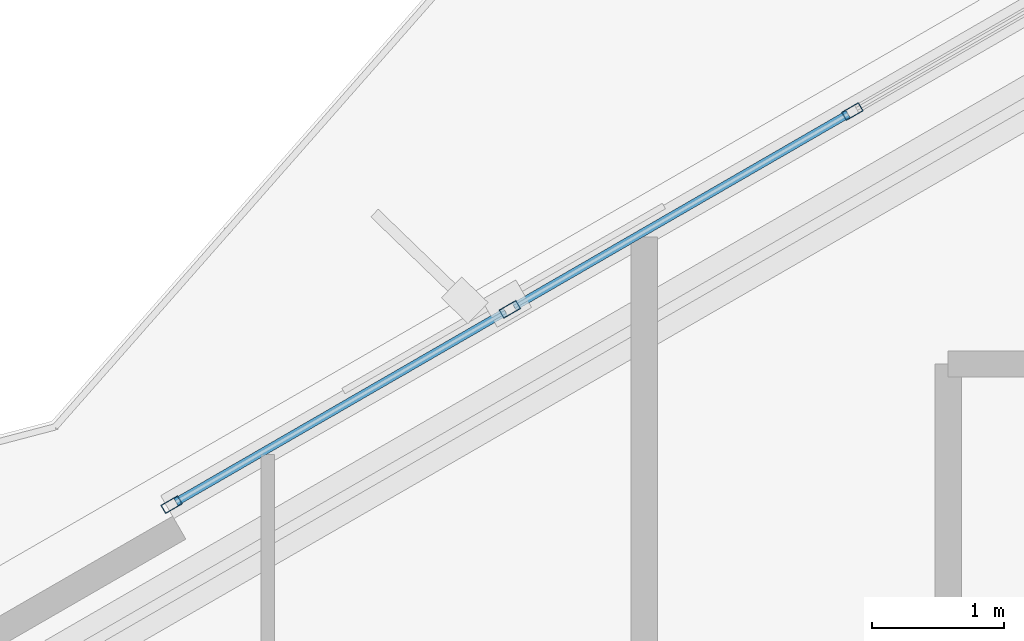
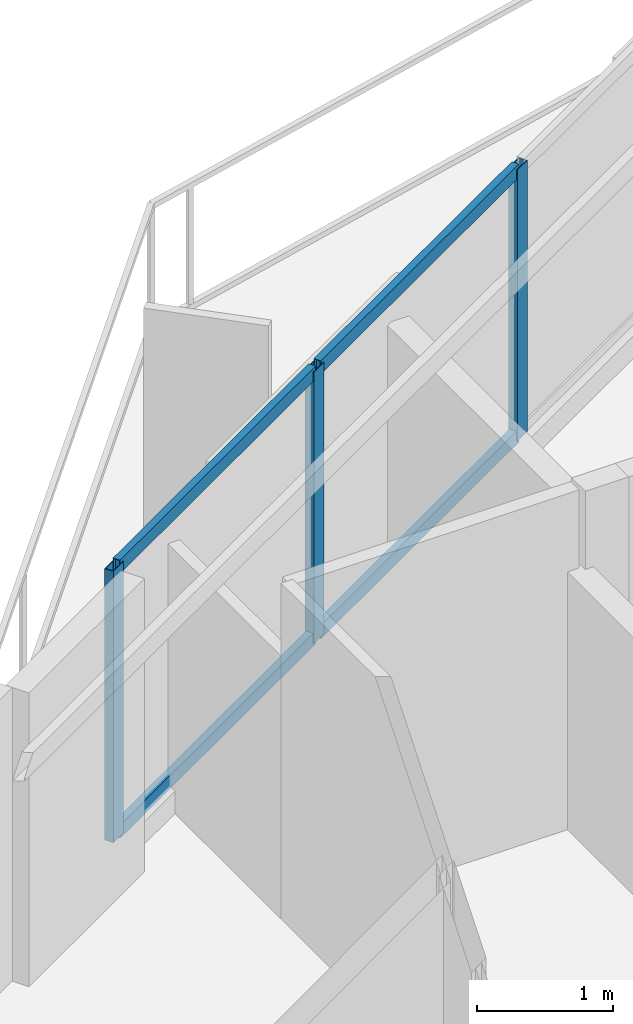
# One storey, part 7 of 18: 7 members, 1 element without a shape of its own.
"""IFC4 building model written with IfcOpenShell, lengths in metres."""

from ifc_helpers import new_model, si_unit, direction, frame, origin, origin_2d, place, context, subcontext, project, spatial, hollow_rectangle, extrude, material, layer, layer_set, material_profile, profile_set, type_object, element, aggregate, save


model = new_model("IFC4")

# Units and contexts
model_context = context("Model", 3, precision=1e-05, world=origin(), true_north=direction((0.0, 1.0)))
body_context = subcontext(model_context, "Body", "Model", "MODEL_VIEW")
ifc_project = project(units=[si_unit("LENGTHUNIT", "METRE"), si_unit("AREAUNIT", "SQUARE_METRE"), si_unit("VOLUMEUNIT", "CUBIC_METRE"), si_unit("PLANEANGLEUNIT", "RADIAN"), si_unit("MASSUNIT", "GRAM", prefix="KILO")], contexts=[model_context])

# Site, building, storey
site_placement = place(None, origin())
site = spatial("IfcSite", under=ifc_project, at=site_placement, CompositionType="ELEMENT")
building_placement = place(site_placement, origin())
building = spatial("IfcBuilding", under=site, at=building_placement, Name="Mersakhor Tower and Convention Hall", CompositionType="ELEMENT")
storey_placement = place(building_placement, frame((0.0, 0.0, 58.800048828125)))
storey = spatial("IfcBuildingStorey", under=building, at=storey_placement, Name="L16", CompositionType="ELEMENT", Elevation=58.800048828125)

# Curtain wall, members
ifc_material_1 = material(Name="Dark solar low-E aluminium curtain wall", Category="aluminium")
ifc_layer = layer(ifc_material_1, 0.159912109375)
ifc_layer_set = layer_set([ifc_layer], Name="Dark solar low-E aluminium curtain wall")
curtain_wall_type = type_object("IfcCurtainWallType", Name="CW-SYS-01", PredefinedType="USERDEFINED", material=ifc_layer_set)
curtain_wall_placement = place(storey_placement, origin())
curtain_wall = element("IfcCurtainWall", 1, at=curtain_wall_placement, inside=storey, type_object=curtain_wall_type, Name="L16 Dark-Glass Curtain Wall F1-B2", ObjectType="CURTAIN WALL", PredefinedType="USERDEFINED")
ifc_material_2 = material(Name="Anodised aluminium EN AW-6063 T6", Category="aluminium")
ifc_material_profile_1 = material_profile(ifc_material_2, hollow_rectangle(XDim=0.074951171875, YDim=0.14990234375, WallThickness=0.00634765625, at=origin_2d()), Name="RHS 150x75x6.3")
ifc_profile_set_1 = profile_set([ifc_material_profile_1], Name="Anodised aluminium EN AW-6063 T6")
member_type_1 = type_object("IfcMemberType", Name="CWM-150x75", PredefinedType="MULLION", material=ifc_profile_set_1)
member_1_placement = place(storey_placement, frame((16.423095703125, 36.635986328125, 0.199951171875), z_axis=(0.0, 0.0, 1.0), x_axis=(-0.50000344889, 0.866023412558, 0.0)))
member_1 = element("IfcMember", 2, at=member_1_placement, type_object=member_type_1, Name="CW-01 mullion 1", PredefinedType="MULLION", context=body_context, shape_type="SweptSolid", body=[
    extrude(hollow_rectangle(XDim=0.074951171875, YDim=0.14990234375, WallThickness=0.00634765625, at=origin_2d()), origin(), (0.0, 0.0, 1.0), 2.43994140625),
])
member_2_placement = place(storey_placement, frame((18.982666015625, 38.11376953125, 0.199951171875), z_axis=(0.0, 0.0, 1.0), x_axis=(-0.50000344889, 0.866023412558, 0.0)))
member_2 = element("IfcMember", 3, at=member_2_placement, type_object=member_type_1, Name="CW-01 mullion 2", PredefinedType="MULLION", context=body_context, shape_type="SweptSolid", body=[
    extrude(hollow_rectangle(XDim=0.074951171875, YDim=0.14990234375, WallThickness=0.00634765625, at=origin_2d()), origin(), (0.0, 0.0, 1.0), 2.43994140625),
])
member_3_placement = place(storey_placement, frame((21.574951171875, 39.610595703125, 0.199951171875), z_axis=(0.0, 0.0, 1.0), x_axis=(-0.50000344889, 0.866023412558, 0.0)))
member_3 = element("IfcMember", 4, at=member_3_placement, type_object=member_type_1, Name="CW-01 mullion 3", PredefinedType="MULLION", context=body_context, shape_type="SweptSolid", body=[
    extrude(hollow_rectangle(XDim=0.074951171875, YDim=0.14990234375, WallThickness=0.00634765625, at=origin_2d()), origin(), (0.0, 0.0, 1.0), 2.43994140625),
])
ifc_material_3 = material(Name="Anodised aluminium EN AW-6063 T6", Category="aluminium")
ifc_material_profile_2 = material_profile(ifc_material_3, hollow_rectangle(XDim=0.06005859375, YDim=0.1201171875, WallThickness=0.0048828125, at=origin_2d()), Name="RHS 120x60x5")
ifc_profile_set_2 = profile_set([ifc_material_profile_2], Name="Anodised aluminium EN AW-6063 T6")
member_type_2 = type_object("IfcMemberType", Name="CWT-120x60", PredefinedType="USERDEFINED", material=ifc_profile_set_2)
member_4_placement = place(storey_placement, frame((16.45556640625, 36.65478515625, 0.22998046875), z_axis=(0.866002100865, 0.500040359669, 0.0), x_axis=(-0.500040359669, 0.866002100865, 0.0)))
member_4 = element("IfcMember", 5, at=member_4_placement, type_object=member_type_2, Name="CW-01 transom 1.1", ObjectType="TRANSOM", PredefinedType="USERDEFINED", context=body_context, shape_type="SweptSolid", body=[
    extrude(hollow_rectangle(XDim=0.06005859375, YDim=0.1201171875, WallThickness=0.0048828125, at=origin_2d()), origin(), (0.0, 0.0, 1.0), 2.880615234375),
])
member_5_placement = place(storey_placement, frame((16.45556640625, 36.65478515625, 2.60986328125), z_axis=(0.866002100865, 0.500040359669, 0.0), x_axis=(-0.500040359669, 0.866002100865, 0.0)))
member_5 = element("IfcMember", 6, at=member_5_placement, type_object=member_type_2, Name="CW-01 transom 1.2", ObjectType="TRANSOM", PredefinedType="USERDEFINED", context=body_context, shape_type="SweptSolid", body=[
    extrude(hollow_rectangle(XDim=0.06005859375, YDim=0.1201171875, WallThickness=0.0048828125, at=origin_2d()), origin(), (0.0, 0.0, 1.0), 2.880615234375),
])
member_6_placement = place(storey_placement, frame((19.01513671875, 38.132568359375, 0.22998046875), z_axis=(0.866015622527, 0.500016941252, 0.0), x_axis=(-0.500016941252, 0.866015622527, 0.0)))
member_6 = element("IfcMember", 7, at=member_6_placement, type_object=member_type_2, Name="CW-01 transom 2.1", ObjectType="TRANSOM", PredefinedType="USERDEFINED", context=body_context, shape_type="SweptSolid", body=[
    extrude(hollow_rectangle(XDim=0.06005859375, YDim=0.1201171875, WallThickness=0.0048828125, at=origin_2d()), origin(), (0.0, 0.0, 1.0), 2.91845703125),
])
member_7_placement = place(storey_placement, frame((19.01513671875, 38.132568359375, 2.60986328125), z_axis=(0.866015622527, 0.500016941252, 0.0), x_axis=(-0.500016941252, 0.866015622527, 0.0)))
member_7 = element("IfcMember", 8, at=member_7_placement, type_object=member_type_2, Name="CW-01 transom 2.2", ObjectType="TRANSOM", PredefinedType="USERDEFINED", context=body_context, shape_type="SweptSolid", body=[
    extrude(hollow_rectangle(XDim=0.06005859375, YDim=0.1201171875, WallThickness=0.0048828125, at=origin_2d()), origin(), (0.0, 0.0, 1.0), 2.91845703125),
])
aggregate(curtain_wall, [member_1, member_2, member_3, member_4, member_5, member_6, member_7])

save(model, "model.ifc")
